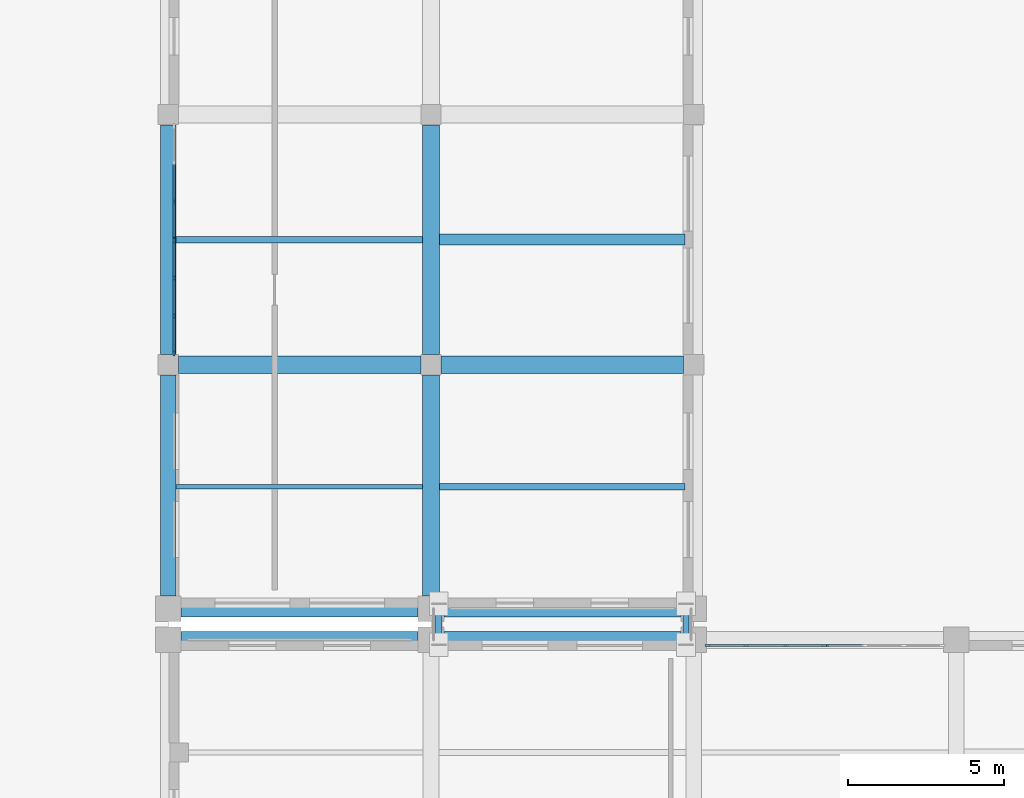
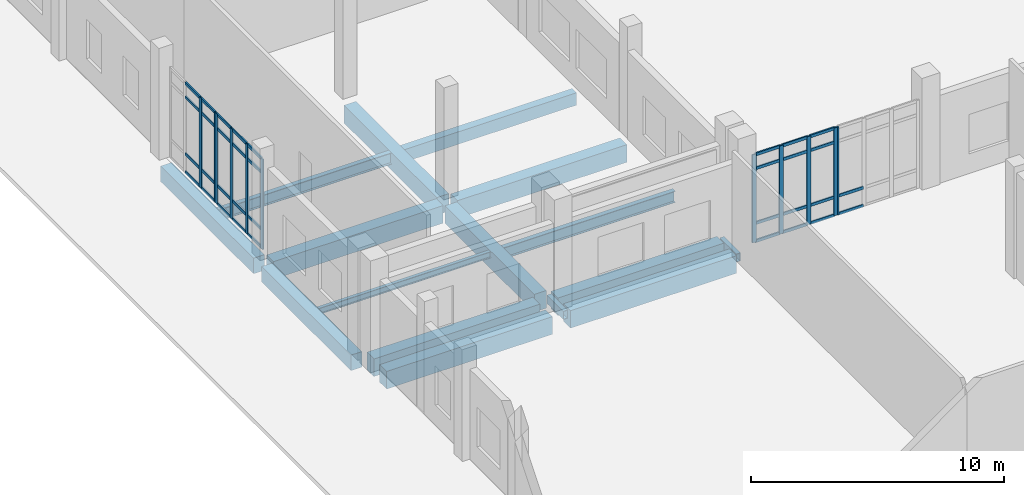
# One storey, part 7 of 79: 45 members, 16 beams, 4 elements without a shape of their own.
"""IFC4 building model written with IfcOpenShell, lengths in metres."""

from ifc_helpers import new_model, si_unit, direction, frame, origin, origin_2d, place, context, subcontext, project, spatial, rectangle, hollow_rectangle, i_section, extrude, material, layer, layer_set, material_profile, profile_set, type_object, element, aggregate, save


model = new_model("IFC4")

# Units and contexts
model_context = context("Model", 3, precision=1e-05, world=origin(), true_north=direction((0.0, 1.0)))
body_context = subcontext(model_context, "Body", "Model", "MODEL_VIEW")
ifc_project = project(units=[si_unit("LENGTHUNIT", "METRE"), si_unit("AREAUNIT", "SQUARE_METRE"), si_unit("VOLUMEUNIT", "CUBIC_METRE"), si_unit("PLANEANGLEUNIT", "RADIAN"), si_unit("MASSUNIT", "GRAM", prefix="KILO")], contexts=[model_context])

# Site, building, storey
site_placement = place(None, origin())
site = spatial("IfcSite", under=ifc_project, at=site_placement, CompositionType="ELEMENT")
building_placement = place(site_placement, origin())
building = spatial("IfcBuilding", under=site, at=building_placement, Name="Kelarvand Opera House", CompositionType="ELEMENT")
storey_placement = place(building_placement, origin())
storey = spatial("IfcBuildingStorey", under=building, at=storey_placement, Name="L00", CompositionType="ELEMENT", Elevation=0.0)

# Curtain wall, members
ifc_material_1 = material(Name="Thermally broken aluminium and low-E glazing", Category="aluminium")
ifc_layer_1 = layer(ifc_material_1, 0.179931640625, Name="Thermally broken aluminium and low-E glazing", Category="aluminium")
ifc_layer_set_1 = layer_set([ifc_layer_1], Name="Thermally broken aluminium and low-E glazing")
curtain_wall_type_1 = type_object("IfcCurtainWallType", Name="Unitised Low-E Curtain Wall 3776x4250 Mod 1350 CWF-23", PredefinedType="USERDEFINED", material=ifc_layer_set_1)
curtain_wall_1_placement = place(storey_placement, origin())
curtain_wall_1 = element("IfcCurtainWall", 1, at=curtain_wall_1_placement, inside=storey, type_object=curtain_wall_type_1, Name="V4 L00 Curtain Wall CWF-23 (107)", ObjectType="UNITISED CURTAIN WALL", PredefinedType="USERDEFINED")
ifc_material_2 = material(Name="Thermally broken anodised aluminium", Category="aluminium")
ifc_material_profile_1 = material_profile(ifc_material_2, rectangle(XDim=0.06494140625, YDim=0.179931640625, at=origin_2d()), Name="ALU MULLION 65x180", Category="aluminium")
ifc_profile_set_1 = profile_set([ifc_material_profile_1], Name="Thermally broken anodised aluminium")
member_type_1 = type_object("IfcMemberType", Name="Curtain Wall Mullion 65x180 Aluminium", PredefinedType="MULLION", material=ifc_profile_set_1)
member_1_placement = place(storey_placement, frame((26.25244140625, 37.6201171875, 0.0), z_axis=(0.0, 0.0, 1.0), x_axis=(0.0, 1.0, 0.0)))
member_1 = element("IfcMember", 2, at=member_1_placement, type_object=member_type_1, Name="CWF-23 mullion 1", PredefinedType="MULLION", context=body_context, shape_type="SweptSolid", body=[
    extrude(rectangle(XDim=0.06494140625, YDim=0.179931640625, at=origin_2d()), origin(), (0.0, 0.0, 1.0), 4.25),
])
member_2_placement = place(storey_placement, frame((27.478759765625, 37.6201171875, 0.0), z_axis=(0.0, 0.0, 1.0), x_axis=(0.0, 1.0, 0.0)))
member_2 = element("IfcMember", 3, at=member_2_placement, type_object=member_type_1, Name="CWF-23 mullion 2", PredefinedType="MULLION", context=body_context, shape_type="SweptSolid", body=[
    extrude(rectangle(XDim=0.06494140625, YDim=0.179931640625, at=origin_2d()), origin(), (0.0, 0.0, 1.0), 4.25),
])
member_3_placement = place(storey_placement, frame((28.7373046875, 37.6201171875, 0.0), z_axis=(0.0, 0.0, 1.0), x_axis=(0.0, 1.0, 0.0)))
member_3 = element("IfcMember", 4, at=member_3_placement, type_object=member_type_1, Name="CWF-23 mullion 3", PredefinedType="MULLION", context=body_context, shape_type="SweptSolid", body=[
    extrude(rectangle(XDim=0.06494140625, YDim=0.179931640625, at=origin_2d()), origin(), (0.0, 0.0, 1.0), 4.25),
])
member_4_placement = place(storey_placement, frame((29.96337890625, 37.6201171875, 0.0), z_axis=(0.0, 0.0, 1.0), x_axis=(0.0, 1.0, 0.0)))
member_4 = element("IfcMember", 5, at=member_4_placement, type_object=member_type_1, Name="CWF-23 mullion 4", PredefinedType="MULLION", context=body_context, shape_type="SweptSolid", body=[
    extrude(rectangle(XDim=0.06494140625, YDim=0.179931640625, at=origin_2d()), origin(), (0.0, 0.0, 1.0), 4.25),
])

# Curtain wall, member
curtain_wall_2_placement = place(storey_placement, origin())
curtain_wall_2 = element("IfcCurtainWall", 6, at=curtain_wall_2_placement, inside=storey, type_object=curtain_wall_type_1, Name="V4 L00 Curtain Wall CWF-23 (108)", ObjectType="UNITISED CURTAIN WALL", PredefinedType="USERDEFINED")
member_5_placement = place(storey_placement, frame((30.032470703125, 37.6201171875, 0.0), z_axis=(0.0, 0.0, 1.0), x_axis=(0.0, 1.0, 0.0)))
member_5 = element("IfcMember", 7, at=member_5_placement, type_object=member_type_1, Name="CWF-23 mullion 1", PredefinedType="MULLION", context=body_context, shape_type="SweptSolid", body=[
    extrude(rectangle(XDim=0.06494140625, YDim=0.179931640625, at=origin_2d()), origin(), (0.0, 0.0, 1.0), 4.25),
])

# Curtain wall, members
ifc_layer_2 = layer(ifc_material_1, 0.179931640625, Name="Thermally broken aluminium and low-E glazing", Category="aluminium")
ifc_layer_set_2 = layer_set([ifc_layer_2], Name="Thermally broken aluminium and low-E glazing")
curtain_wall_type_2 = type_object("IfcCurtainWallType", Name="Unitised Low-E Curtain Wall 3661x4350 Mod 1350 CWF-24", PredefinedType="USERDEFINED", material=ifc_layer_set_2)
curtain_wall_3_placement = place(storey_placement, origin())
curtain_wall_3 = element("IfcCurtainWall", 8, at=curtain_wall_3_placement, inside=storey, type_object=curtain_wall_type_2, Name="V4 L00 Curtain Wall CWF-24 (115)", ObjectType="UNITISED CURTAIN WALL", PredefinedType="USERDEFINED")
member_6_placement = place(storey_placement, frame((9.179931640625, 46.967529296875, 0.0), z_axis=(0.0, 0.0, 1.0), x_axis=(-1.0, 0.0, 0.0)))
member_6 = element("IfcMember", 9, at=member_6_placement, type_object=member_type_1, Name="CWF-24 mullion 1", PredefinedType="MULLION", context=body_context, shape_type="SweptSolid", body=[
    extrude(rectangle(XDim=0.06494140625, YDim=0.179931640625, at=origin_2d()), origin(), (0.0, 0.0, 1.0), 4.35009765625),
])
member_7_placement = place(storey_placement, frame((9.179931640625, 48.1552734375, 0.0), z_axis=(0.0, 0.0, 1.0), x_axis=(-1.0, 0.0, 0.0)))
member_7 = element("IfcMember", 10, at=member_7_placement, type_object=member_type_1, Name="CWF-24 mullion 2", PredefinedType="MULLION", context=body_context, shape_type="SweptSolid", body=[
    extrude(rectangle(XDim=0.06494140625, YDim=0.179931640625, at=origin_2d()), origin(), (0.0, 0.0, 1.0), 4.35009765625),
])
member_8_placement = place(storey_placement, frame((9.179931640625, 49.375732421875, 0.0), z_axis=(0.0, 0.0, 1.0), x_axis=(-1.0, 0.0, 0.0)))
member_8 = element("IfcMember", 11, at=member_8_placement, type_object=member_type_1, Name="CWF-24 mullion 3", PredefinedType="MULLION", context=body_context, shape_type="SweptSolid", body=[
    extrude(rectangle(XDim=0.06494140625, YDim=0.179931640625, at=origin_2d()), origin(), (0.0, 0.0, 1.0), 4.35009765625),
])
member_9_placement = place(storey_placement, frame((9.179931640625, 50.5634765625, 0.0), z_axis=(0.0, 0.0, 1.0), x_axis=(-1.0, 0.0, 0.0)))
member_9 = element("IfcMember", 12, at=member_9_placement, type_object=member_type_1, Name="CWF-24 mullion 4", PredefinedType="MULLION", context=body_context, shape_type="SweptSolid", body=[
    extrude(rectangle(XDim=0.06494140625, YDim=0.179931640625, at=origin_2d()), origin(), (0.0, 0.0, 1.0), 4.35009765625),
])

curtain_wall_4_placement = place(storey_placement, origin())
curtain_wall_4 = element("IfcCurtainWall", 13, at=curtain_wall_4_placement, inside=storey, type_object=curtain_wall_type_2, Name="V4 L00 Curtain Wall CWF-24 (116)", ObjectType="UNITISED CURTAIN WALL", PredefinedType="USERDEFINED")
member_10_placement = place(storey_placement, frame((9.179931640625, 50.632568359375, 0.0), z_axis=(0.0, 0.0, 1.0), x_axis=(-1.0, 0.0, 0.0)))
member_10 = element("IfcMember", 14, at=member_10_placement, type_object=member_type_1, Name="CWF-24 mullion 1", PredefinedType="MULLION", context=body_context, shape_type="SweptSolid", body=[
    extrude(rectangle(XDim=0.06494140625, YDim=0.179931640625, at=origin_2d()), origin(), (0.0, 0.0, 1.0), 4.35009765625),
])
member_11_placement = place(storey_placement, frame((9.179931640625, 51.82177734375, 0.0), z_axis=(0.0, 0.0, 1.0), x_axis=(-1.0, 0.0, 0.0)))
member_11 = element("IfcMember", 15, at=member_11_placement, type_object=member_type_1, Name="CWF-24 mullion 2", PredefinedType="MULLION", context=body_context, shape_type="SweptSolid", body=[
    extrude(rectangle(XDim=0.06494140625, YDim=0.179931640625, at=origin_2d()), origin(), (0.0, 0.0, 1.0), 4.35009765625),
])

# Member
ifc_material_profile_2 = material_profile(ifc_material_2, rectangle(XDim=0.06494140625, YDim=0.139892578125, at=origin_2d()), Name="ALU TRANSOM 65x140", Category="aluminium")
ifc_profile_set_2 = profile_set([ifc_material_profile_2], Name="Thermally broken anodised aluminium")
member_type_2 = type_object("IfcMemberType", Name="Curtain Wall Transom 65x140 Aluminium", PredefinedType="USERDEFINED", material=ifc_profile_set_2)
member_12_placement = place(storey_placement, frame((26.284912109375, 37.6201171875, 0.032470703125), z_axis=(1.0, 0.0, 0.0), x_axis=(0.0, 1.0, 0.0)))
member_12 = element("IfcMember", 16, at=member_12_placement, type_object=member_type_2, Name="CWF-23 transom 1.1", ObjectType="TRANSOM", PredefinedType="USERDEFINED", context=body_context, shape_type="SweptSolid", body=[
    extrude(rectangle(XDim=0.06494140625, YDim=0.139892578125, at=origin_2d()), origin(), (0.0, 0.0, 1.0), 1.1611328125),
])

member_13_placement = place(storey_placement, frame((26.284912109375, 37.6201171875, 0.89990234375), z_axis=(1.0, 0.0, 0.0), x_axis=(0.0, 1.0, 0.0)))
member_13 = element("IfcMember", 17, at=member_13_placement, type_object=member_type_2, Name="CWF-23 transom 1.2", ObjectType="TRANSOM", PredefinedType="USERDEFINED", context=body_context, shape_type="SweptSolid", body=[
    extrude(rectangle(XDim=0.06494140625, YDim=0.139892578125, at=origin_2d()), origin(), (0.0, 0.0, 1.0), 1.1611328125),
])

member_14_placement = place(storey_placement, frame((26.284912109375, 37.6201171875, 3.550048828125), z_axis=(1.0, 0.0, 0.0), x_axis=(0.0, 1.0, 0.0)))
member_14 = element("IfcMember", 18, at=member_14_placement, type_object=member_type_2, Name="CWF-23 transom 1.3", ObjectType="TRANSOM", PredefinedType="USERDEFINED", context=body_context, shape_type="SweptSolid", body=[
    extrude(rectangle(XDim=0.06494140625, YDim=0.139892578125, at=origin_2d()), origin(), (0.0, 0.0, 1.0), 1.1611328125),
])

member_15_placement = place(storey_placement, frame((26.284912109375, 37.6201171875, 4.217529296875), z_axis=(1.0, 0.0, 0.0), x_axis=(0.0, 1.0, 0.0)))
member_15 = element("IfcMember", 19, at=member_15_placement, type_object=member_type_2, Name="CWF-23 transom 1.4", ObjectType="TRANSOM", PredefinedType="USERDEFINED", context=body_context, shape_type="SweptSolid", body=[
    extrude(rectangle(XDim=0.06494140625, YDim=0.139892578125, at=origin_2d()), origin(), (0.0, 0.0, 1.0), 1.1611328125),
])

member_16_placement = place(storey_placement, frame((27.51123046875, 37.6201171875, 0.032470703125), z_axis=(1.0, 0.0, 0.0), x_axis=(0.0, 1.0, 0.0)))
member_16 = element("IfcMember", 20, at=member_16_placement, type_object=member_type_2, Name="CWF-23 transom 2.1", ObjectType="TRANSOM", PredefinedType="USERDEFINED", context=body_context, shape_type="SweptSolid", body=[
    extrude(rectangle(XDim=0.06494140625, YDim=0.139892578125, at=origin_2d()), origin(), (0.0, 0.0, 1.0), 1.193603515625),
])

member_17_placement = place(storey_placement, frame((27.51123046875, 37.6201171875, 0.89990234375), z_axis=(1.0, 0.0, 0.0), x_axis=(0.0, 1.0, 0.0)))
member_17 = element("IfcMember", 21, at=member_17_placement, type_object=member_type_2, Name="CWF-23 transom 2.2", ObjectType="TRANSOM", PredefinedType="USERDEFINED", context=body_context, shape_type="SweptSolid", body=[
    extrude(rectangle(XDim=0.06494140625, YDim=0.139892578125, at=origin_2d()), origin(), (0.0, 0.0, 1.0), 1.193603515625),
])

member_18_placement = place(storey_placement, frame((27.51123046875, 37.6201171875, 3.550048828125), z_axis=(1.0, 0.0, 0.0), x_axis=(0.0, 1.0, 0.0)))
member_18 = element("IfcMember", 22, at=member_18_placement, type_object=member_type_2, Name="CWF-23 transom 2.3", ObjectType="TRANSOM", PredefinedType="USERDEFINED", context=body_context, shape_type="SweptSolid", body=[
    extrude(rectangle(XDim=0.06494140625, YDim=0.139892578125, at=origin_2d()), origin(), (0.0, 0.0, 1.0), 1.193603515625),
])

member_19_placement = place(storey_placement, frame((27.51123046875, 37.6201171875, 4.217529296875), z_axis=(1.0, 0.0, 0.0), x_axis=(0.0, 1.0, 0.0)))
member_19 = element("IfcMember", 23, at=member_19_placement, type_object=member_type_2, Name="CWF-23 transom 2.4", ObjectType="TRANSOM", PredefinedType="USERDEFINED", context=body_context, shape_type="SweptSolid", body=[
    extrude(rectangle(XDim=0.06494140625, YDim=0.139892578125, at=origin_2d()), origin(), (0.0, 0.0, 1.0), 1.193603515625),
])

member_20_placement = place(storey_placement, frame((28.769775390625, 37.6201171875, 0.032470703125), z_axis=(1.0, 0.0, 0.0), x_axis=(0.0, 1.0, 0.0)))
member_20 = element("IfcMember", 24, at=member_20_placement, type_object=member_type_2, Name="CWF-23 transom 3.1", ObjectType="TRANSOM", PredefinedType="USERDEFINED", context=body_context, shape_type="SweptSolid", body=[
    extrude(rectangle(XDim=0.06494140625, YDim=0.139892578125, at=origin_2d()), origin(), (0.0, 0.0, 1.0), 1.1611328125),
])

member_21_placement = place(storey_placement, frame((28.769775390625, 37.6201171875, 0.89990234375), z_axis=(1.0, 0.0, 0.0), x_axis=(0.0, 1.0, 0.0)))
member_21 = element("IfcMember", 25, at=member_21_placement, type_object=member_type_2, Name="CWF-23 transom 3.2", ObjectType="TRANSOM", PredefinedType="USERDEFINED", context=body_context, shape_type="SweptSolid", body=[
    extrude(rectangle(XDim=0.06494140625, YDim=0.139892578125, at=origin_2d()), origin(), (0.0, 0.0, 1.0), 1.1611328125),
])

member_22_placement = place(storey_placement, frame((28.769775390625, 37.6201171875, 3.550048828125), z_axis=(1.0, 0.0, 0.0), x_axis=(0.0, 1.0, 0.0)))
member_22 = element("IfcMember", 26, at=member_22_placement, type_object=member_type_2, Name="CWF-23 transom 3.3", ObjectType="TRANSOM", PredefinedType="USERDEFINED", context=body_context, shape_type="SweptSolid", body=[
    extrude(rectangle(XDim=0.06494140625, YDim=0.139892578125, at=origin_2d()), origin(), (0.0, 0.0, 1.0), 1.1611328125),
])

member_23_placement = place(storey_placement, frame((28.769775390625, 37.6201171875, 4.217529296875), z_axis=(1.0, 0.0, 0.0), x_axis=(0.0, 1.0, 0.0)))
member_23 = element("IfcMember", 27, at=member_23_placement, type_object=member_type_2, Name="CWF-23 transom 3.4", ObjectType="TRANSOM", PredefinedType="USERDEFINED", context=body_context, shape_type="SweptSolid", body=[
    extrude(rectangle(XDim=0.06494140625, YDim=0.139892578125, at=origin_2d()), origin(), (0.0, 0.0, 1.0), 1.1611328125),
])

aggregate(curtain_wall_1, [member_1, member_2, member_3, member_4, member_12, member_13, member_14, member_15, member_16, member_17, member_18, member_19, member_20, member_21, member_22, member_23])

member_24_placement = place(storey_placement, frame((30.06494140625, 37.6201171875, 0.032470703125), z_axis=(1.0, 0.0, 0.0), x_axis=(0.0, 1.0, 0.0)))
member_24 = element("IfcMember", 28, at=member_24_placement, type_object=member_type_2, Name="CWF-23 transom 1.1", ObjectType="TRANSOM", PredefinedType="USERDEFINED", context=body_context, shape_type="SweptSolid", body=[
    extrude(rectangle(XDim=0.06494140625, YDim=0.139892578125, at=origin_2d()), origin(), (0.0, 0.0, 1.0), 1.16259765625),
])

member_25_placement = place(storey_placement, frame((30.06494140625, 37.6201171875, 0.89990234375), z_axis=(1.0, 0.0, 0.0), x_axis=(0.0, 1.0, 0.0)))
member_25 = element("IfcMember", 29, at=member_25_placement, type_object=member_type_2, Name="CWF-23 transom 1.2", ObjectType="TRANSOM", PredefinedType="USERDEFINED", context=body_context, shape_type="SweptSolid", body=[
    extrude(rectangle(XDim=0.06494140625, YDim=0.139892578125, at=origin_2d()), origin(), (0.0, 0.0, 1.0), 1.16259765625),
])

aggregate(curtain_wall_2, [member_5, member_24, member_25])

member_26_placement = place(storey_placement, frame((9.179931640625, 47.0, 0.032470703125), z_axis=(0.0, 1.0, 0.0), x_axis=(-1.0, 0.0, 0.0)))
member_26 = element("IfcMember", 30, at=member_26_placement, type_object=member_type_2, Name="CWF-24 transom 1.1", ObjectType="TRANSOM", PredefinedType="USERDEFINED", context=body_context, shape_type="SweptSolid", body=[
    extrude(rectangle(XDim=0.06494140625, YDim=0.139892578125, at=origin_2d()), origin(), (0.0, 0.0, 1.0), 1.122802734375),
])

member_27_placement = place(storey_placement, frame((9.179931640625, 47.0, 0.89990234375), z_axis=(0.0, 1.0, 0.0), x_axis=(-1.0, 0.0, 0.0)))
member_27 = element("IfcMember", 31, at=member_27_placement, type_object=member_type_2, Name="CWF-24 transom 1.2", ObjectType="TRANSOM", PredefinedType="USERDEFINED", context=body_context, shape_type="SweptSolid", body=[
    extrude(rectangle(XDim=0.06494140625, YDim=0.139892578125, at=origin_2d()), origin(), (0.0, 0.0, 1.0), 1.122802734375),
])

member_28_placement = place(storey_placement, frame((9.179931640625, 47.0, 3.64990234375), z_axis=(0.0, 1.0, 0.0), x_axis=(-1.0, 0.0, 0.0)))
member_28 = element("IfcMember", 32, at=member_28_placement, type_object=member_type_2, Name="CWF-24 transom 1.3", ObjectType="TRANSOM", PredefinedType="USERDEFINED", context=body_context, shape_type="SweptSolid", body=[
    extrude(rectangle(XDim=0.06494140625, YDim=0.139892578125, at=origin_2d()), origin(), (0.0, 0.0, 1.0), 1.122802734375),
])

member_29_placement = place(storey_placement, frame((9.179931640625, 47.0, 4.3173828125), z_axis=(0.0, 1.0, 0.0), x_axis=(-1.0, 0.0, 0.0)))
member_29 = element("IfcMember", 33, at=member_29_placement, type_object=member_type_2, Name="CWF-24 transom 1.4", ObjectType="TRANSOM", PredefinedType="USERDEFINED", context=body_context, shape_type="SweptSolid", body=[
    extrude(rectangle(XDim=0.06494140625, YDim=0.139892578125, at=origin_2d()), origin(), (0.0, 0.0, 1.0), 1.122802734375),
])

member_30_placement = place(storey_placement, frame((9.179931640625, 48.187744140625, 0.032470703125), z_axis=(0.0, 1.0, 0.0), x_axis=(-1.0, 0.0, 0.0)))
member_30 = element("IfcMember", 34, at=member_30_placement, type_object=member_type_2, Name="CWF-24 transom 2.1", ObjectType="TRANSOM", PredefinedType="USERDEFINED", context=body_context, shape_type="SweptSolid", body=[
    extrude(rectangle(XDim=0.06494140625, YDim=0.139892578125, at=origin_2d()), origin(), (0.0, 0.0, 1.0), 1.155517578125),
])

member_31_placement = place(storey_placement, frame((9.179931640625, 48.187744140625, 0.89990234375), z_axis=(0.0, 1.0, 0.0), x_axis=(-1.0, 0.0, 0.0)))
member_31 = element("IfcMember", 35, at=member_31_placement, type_object=member_type_2, Name="CWF-24 transom 2.2", ObjectType="TRANSOM", PredefinedType="USERDEFINED", context=body_context, shape_type="SweptSolid", body=[
    extrude(rectangle(XDim=0.06494140625, YDim=0.139892578125, at=origin_2d()), origin(), (0.0, 0.0, 1.0), 1.155517578125),
])

member_32_placement = place(storey_placement, frame((9.179931640625, 48.187744140625, 3.64990234375), z_axis=(0.0, 1.0, 0.0), x_axis=(-1.0, 0.0, 0.0)))
member_32 = element("IfcMember", 36, at=member_32_placement, type_object=member_type_2, Name="CWF-24 transom 2.3", ObjectType="TRANSOM", PredefinedType="USERDEFINED", context=body_context, shape_type="SweptSolid", body=[
    extrude(rectangle(XDim=0.06494140625, YDim=0.139892578125, at=origin_2d()), origin(), (0.0, 0.0, 1.0), 1.155517578125),
])

member_33_placement = place(storey_placement, frame((9.179931640625, 48.187744140625, 4.3173828125), z_axis=(0.0, 1.0, 0.0), x_axis=(-1.0, 0.0, 0.0)))
member_33 = element("IfcMember", 37, at=member_33_placement, type_object=member_type_2, Name="CWF-24 transom 2.4", ObjectType="TRANSOM", PredefinedType="USERDEFINED", context=body_context, shape_type="SweptSolid", body=[
    extrude(rectangle(XDim=0.06494140625, YDim=0.139892578125, at=origin_2d()), origin(), (0.0, 0.0, 1.0), 1.155517578125),
])

member_34_placement = place(storey_placement, frame((9.179931640625, 49.408203125, 0.032470703125), z_axis=(0.0, 1.0, 0.0), x_axis=(-1.0, 0.0, 0.0)))
member_34 = element("IfcMember", 38, at=member_34_placement, type_object=member_type_2, Name="CWF-24 transom 3.1", ObjectType="TRANSOM", PredefinedType="USERDEFINED", context=body_context, shape_type="SweptSolid", body=[
    extrude(rectangle(XDim=0.06494140625, YDim=0.139892578125, at=origin_2d()), origin(), (0.0, 0.0, 1.0), 1.122802734375),
])

member_35_placement = place(storey_placement, frame((9.179931640625, 49.408203125, 0.89990234375), z_axis=(0.0, 1.0, 0.0), x_axis=(-1.0, 0.0, 0.0)))
member_35 = element("IfcMember", 39, at=member_35_placement, type_object=member_type_2, Name="CWF-24 transom 3.2", ObjectType="TRANSOM", PredefinedType="USERDEFINED", context=body_context, shape_type="SweptSolid", body=[
    extrude(rectangle(XDim=0.06494140625, YDim=0.139892578125, at=origin_2d()), origin(), (0.0, 0.0, 1.0), 1.122802734375),
])

member_36_placement = place(storey_placement, frame((9.179931640625, 49.408203125, 3.64990234375), z_axis=(0.0, 1.0, 0.0), x_axis=(-1.0, 0.0, 0.0)))
member_36 = element("IfcMember", 40, at=member_36_placement, type_object=member_type_2, Name="CWF-24 transom 3.3", ObjectType="TRANSOM", PredefinedType="USERDEFINED", context=body_context, shape_type="SweptSolid", body=[
    extrude(rectangle(XDim=0.06494140625, YDim=0.139892578125, at=origin_2d()), origin(), (0.0, 0.0, 1.0), 1.122802734375),
])

member_37_placement = place(storey_placement, frame((9.179931640625, 49.408203125, 4.3173828125), z_axis=(0.0, 1.0, 0.0), x_axis=(-1.0, 0.0, 0.0)))
member_37 = element("IfcMember", 41, at=member_37_placement, type_object=member_type_2, Name="CWF-24 transom 3.4", ObjectType="TRANSOM", PredefinedType="USERDEFINED", context=body_context, shape_type="SweptSolid", body=[
    extrude(rectangle(XDim=0.06494140625, YDim=0.139892578125, at=origin_2d()), origin(), (0.0, 0.0, 1.0), 1.122802734375),
])

aggregate(curtain_wall_3, [member_6, member_7, member_8, member_9, member_26, member_27, member_28, member_29, member_30, member_31, member_32, member_33, member_34, member_35, member_36, member_37])

member_38_placement = place(storey_placement, frame((9.179931640625, 50.6650390625, 0.032470703125), z_axis=(0.0, 1.0, 0.0), x_axis=(-1.0, 0.0, 0.0)))
member_38 = element("IfcMember", 42, at=member_38_placement, type_object=member_type_2, Name="CWF-24 transom 1.1", ObjectType="TRANSOM", PredefinedType="USERDEFINED", context=body_context, shape_type="SweptSolid", body=[
    extrude(rectangle(XDim=0.06494140625, YDim=0.139892578125, at=origin_2d()), origin(), (0.0, 0.0, 1.0), 1.1240234375),
])

member_39_placement = place(storey_placement, frame((9.179931640625, 50.6650390625, 0.89990234375), z_axis=(0.0, 1.0, 0.0), x_axis=(-1.0, 0.0, 0.0)))
member_39 = element("IfcMember", 43, at=member_39_placement, type_object=member_type_2, Name="CWF-24 transom 1.2", ObjectType="TRANSOM", PredefinedType="USERDEFINED", context=body_context, shape_type="SweptSolid", body=[
    extrude(rectangle(XDim=0.06494140625, YDim=0.139892578125, at=origin_2d()), origin(), (0.0, 0.0, 1.0), 1.1240234375),
])

member_40_placement = place(storey_placement, frame((9.179931640625, 50.6650390625, 3.64990234375), z_axis=(0.0, 1.0, 0.0), x_axis=(-1.0, 0.0, 0.0)))
member_40 = element("IfcMember", 44, at=member_40_placement, type_object=member_type_2, Name="CWF-24 transom 1.3", ObjectType="TRANSOM", PredefinedType="USERDEFINED", context=body_context, shape_type="SweptSolid", body=[
    extrude(rectangle(XDim=0.06494140625, YDim=0.139892578125, at=origin_2d()), origin(), (0.0, 0.0, 1.0), 1.1240234375),
])

member_41_placement = place(storey_placement, frame((9.179931640625, 50.6650390625, 4.3173828125), z_axis=(0.0, 1.0, 0.0), x_axis=(-1.0, 0.0, 0.0)))
member_41 = element("IfcMember", 45, at=member_41_placement, type_object=member_type_2, Name="CWF-24 transom 1.4", ObjectType="TRANSOM", PredefinedType="USERDEFINED", context=body_context, shape_type="SweptSolid", body=[
    extrude(rectangle(XDim=0.06494140625, YDim=0.139892578125, at=origin_2d()), origin(), (0.0, 0.0, 1.0), 1.1240234375),
])

member_42_placement = place(storey_placement, frame((9.179931640625, 51.854248046875, 0.032470703125), z_axis=(0.0, 1.0, 0.0), x_axis=(-1.0, 0.0, 0.0)))
member_42 = element("IfcMember", 46, at=member_42_placement, type_object=member_type_2, Name="CWF-24 transom 2.1", ObjectType="TRANSOM", PredefinedType="USERDEFINED", context=body_context, shape_type="SweptSolid", body=[
    extrude(rectangle(XDim=0.06494140625, YDim=0.139892578125, at=origin_2d()), origin(), (0.0, 0.0, 1.0), 1.156494140625),
])

member_43_placement = place(storey_placement, frame((9.179931640625, 51.854248046875, 0.89990234375), z_axis=(0.0, 1.0, 0.0), x_axis=(-1.0, 0.0, 0.0)))
member_43 = element("IfcMember", 47, at=member_43_placement, type_object=member_type_2, Name="CWF-24 transom 2.2", ObjectType="TRANSOM", PredefinedType="USERDEFINED", context=body_context, shape_type="SweptSolid", body=[
    extrude(rectangle(XDim=0.06494140625, YDim=0.139892578125, at=origin_2d()), origin(), (0.0, 0.0, 1.0), 1.156494140625),
])

member_44_placement = place(storey_placement, frame((9.179931640625, 51.854248046875, 3.64990234375), z_axis=(0.0, 1.0, 0.0), x_axis=(-1.0, 0.0, 0.0)))
member_44 = element("IfcMember", 48, at=member_44_placement, type_object=member_type_2, Name="CWF-24 transom 2.3", ObjectType="TRANSOM", PredefinedType="USERDEFINED", context=body_context, shape_type="SweptSolid", body=[
    extrude(rectangle(XDim=0.06494140625, YDim=0.139892578125, at=origin_2d()), origin(), (0.0, 0.0, 1.0), 1.156494140625),
])

member_45_placement = place(storey_placement, frame((9.179931640625, 51.854248046875, 4.3173828125), z_axis=(0.0, 1.0, 0.0), x_axis=(-1.0, 0.0, 0.0)))
member_45 = element("IfcMember", 49, at=member_45_placement, type_object=member_type_2, Name="CWF-24 transom 2.4", ObjectType="TRANSOM", PredefinedType="USERDEFINED", context=body_context, shape_type="SweptSolid", body=[
    extrude(rectangle(XDim=0.06494140625, YDim=0.139892578125, at=origin_2d()), origin(), (0.0, 0.0, 1.0), 1.156494140625),
])

aggregate(curtain_wall_4, [member_10, member_11, member_38, member_39, member_40, member_41, member_42, member_43, member_44, member_45])

# Beams
ifc_material_3 = material(Name="Concrete C35/45", Category="concrete")
ifc_material_profile_3 = material_profile(ifc_material_3, rectangle(XDim=0.35009765625, YDim=0.60009765625, at=origin_2d()), Name="RC 350x600", Category="concrete")
ifc_profile_set_3 = profile_set([ifc_material_profile_3], Name="Concrete C35/45")
beam_type_1 = type_object("IfcBeamType", Name="Structural Beam RC 350x600 BM-RC350x600", PredefinedType="BEAM", material=ifc_profile_set_3)
beam_1_placement = place(storey_placement, frame((17.675048828125, 50.60009765625, -0.60009765625), z_axis=(1.0, 0.0, 0.0), x_axis=(0.0, 1.0, 0.0)))
element("IfcBeam", 50, at=beam_1_placement, inside=storey, type_object=beam_type_1, Name="V4 L00 Beam BM-RC350x600", PredefinedType="BEAM", context=body_context, shape_type="SweptSolid", body=[
    extrude(rectangle(XDim=0.35009765625, YDim=0.60009765625, at=origin_2d()), origin(), (0.0, 0.0, 1.0), 7.849853515625),
])
ifc_material_4 = material(Name="Concrete C40/50", Category="concrete")
ifc_material_profile_4 = material_profile(ifc_material_4, rectangle(XDim=0.550048828125, YDim=0.85009765625, at=origin_2d()), Name="RC 550x850", Category="concrete")
ifc_profile_set_4 = profile_set([ifc_material_profile_4], Name="Concrete C40/50")
beam_type_2 = type_object("IfcBeamType", Name="Structural Beam RC 550x850 BM-RC550x850", PredefinedType="BEAM", material=ifc_profile_set_4)
beam_2_placement = place(storey_placement, frame((9.409912109375, 37.800048828125, -0.72509765625), z_axis=(1.0, 0.0, 0.0), x_axis=(0.0, 1.0, 0.0)))
element("IfcBeam", 51, at=beam_2_placement, inside=storey, type_object=beam_type_2, Name="V4 L00 Beam BM-RC550x850", PredefinedType="BEAM", context=body_context, shape_type="SweptSolid", body=[
    extrude(rectangle(XDim=0.550048828125, YDim=0.85009765625, at=origin_2d()), origin(), (0.0, 0.0, 1.0), 7.580078125),
])
beam_3_placement = place(storey_placement, frame((17.81005859375, 37.800048828125, -0.72509765625), z_axis=(1.0, 0.0, 0.0), x_axis=(0.0, 1.0, 0.0)))
element("IfcBeam", 52, at=beam_3_placement, inside=storey, type_object=beam_type_2, Name="V4 L00 Beam BM-RC550x850", PredefinedType="BEAM", context=body_context, shape_type="SweptSolid", body=[
    extrude(rectangle(XDim=0.550048828125, YDim=0.85009765625, at=origin_2d()), origin(), (0.0, 0.0, 1.0), 7.579833984375),
])
beam_4_placement = place(storey_placement, frame((9.409912109375, 38.800048828125, -0.72509765625), z_axis=(1.0, 0.0, 0.0), x_axis=(0.0, 1.0, 0.0)))
element("IfcBeam", 53, at=beam_4_placement, inside=storey, type_object=beam_type_2, Name="V4 L00 Beam BM-RC550x850", PredefinedType="BEAM", context=body_context, shape_type="SweptSolid", body=[
    extrude(rectangle(XDim=0.550048828125, YDim=0.85009765625, at=origin_2d()), origin(), (0.0, 0.0, 1.0), 7.580078125),
])
beam_5_placement = place(storey_placement, frame((17.81005859375, 38.800048828125, -0.72509765625), z_axis=(1.0, 0.0, 0.0), x_axis=(0.0, 1.0, 0.0)))
element("IfcBeam", 54, at=beam_5_placement, inside=storey, type_object=beam_type_2, Name="V4 L00 Beam BM-RC550x850", PredefinedType="BEAM", context=body_context, shape_type="SweptSolid", body=[
    extrude(rectangle(XDim=0.550048828125, YDim=0.85009765625, at=origin_2d()), origin(), (0.0, 0.0, 1.0), 7.579833984375),
])
for number, where, z_axis, x_axis, name in (
    (55, (9.324951171875, 46.60009765625, -0.72509765625), (1.0, 0.0, 0.0), (0.0, 1.0, 0.0), "V4 L00 Beam BM-RC550x850"),
    (56, (17.72509765625, 46.60009765625, -0.72509765625), (1.0, 0.0, 0.0), (0.0, 1.0, 0.0), "V4 L00 Beam BM-RC550x850"),
):
    element("IfcBeam", number, at=place(storey_placement, frame(where, z_axis=z_axis, x_axis=x_axis)), inside=storey, type_object=beam_type_2, Name=name, PredefinedType="BEAM", context=body_context, shape_type="SweptSolid", body=[
        extrude(rectangle(XDim=0.550048828125, YDim=0.85009765625, at=origin_2d()), origin(), (0.0, 0.0, 1.0), 7.75),
    ])
beam_6_placement = place(storey_placement, frame((17.39990234375, 39.2099609375, -0.72509765625), z_axis=(0.0, 1.0, 0.0), x_axis=(-1.0, 0.0, 0.0)))
element("IfcBeam", 57, at=beam_6_placement, inside=storey, type_object=beam_type_2, Name="V4 L00 Beam BM-RC550x850", PredefinedType="BEAM", context=body_context, shape_type="SweptSolid", body=[
    extrude(rectangle(XDim=0.550048828125, YDim=0.85009765625, at=origin_2d()), origin(), (0.0, 0.0, 1.0), 7.06494140625),
])
beam_7_placement = place(storey_placement, frame((17.39990234375, 46.925048828125, -0.72509765625), z_axis=(0.0, 1.0, 0.0), x_axis=(-1.0, 0.0, 0.0)))
element("IfcBeam", 58, at=beam_7_placement, inside=storey, type_object=beam_type_2, Name="V4 L00 Beam BM-RC550x850", PredefinedType="BEAM", context=body_context, shape_type="SweptSolid", body=[
    extrude(rectangle(XDim=0.550048828125, YDim=0.85009765625, at=origin_2d()), origin(), (0.0, 0.0, 1.0), 7.349853515625),
])
ifc_material_5 = material(Name="Steel S355", Category="steel")
ifc_material_profile_5 = material_profile(ifc_material_5, hollow_rectangle(XDim=0.199951171875, YDim=0.39990234375, WallThickness=0.01611328125, at=origin_2d()), Name="RHS 400x200x16.0", Category="steel")
ifc_profile_set_5 = profile_set([ifc_material_profile_5], Name="Steel S355")
beam_type_3 = type_object("IfcBeamType", Name="Structural Beam RHS 400x200x16.0 BM-RHS400", PredefinedType="BEAM", material=ifc_profile_set_5)
for number, where, z_axis, x_axis, name in (
    (59, (17.64990234375, 37.64990234375, -0.52001953125), (0.0, 1.0, 0.0), (-1.0, 0.0, 0.0), "Seismic Sliding Corbel Beam BR-JS-W L00 1"),
    (60, (25.550048828125, 37.64990234375, -0.52001953125), (0.0, 1.0, 0.0), (-1.0, 0.0, 0.0), "Seismic Sliding Corbel Beam BR-JS-W L00 2"),
):
    element("IfcBeam", number, at=place(storey_placement, frame(where, z_axis=z_axis, x_axis=x_axis)), inside=storey, type_object=beam_type_3, Name=name, PredefinedType="BEAM", context=body_context, shape_type="SweptSolid", body=[
        extrude(hollow_rectangle(XDim=0.199951171875, YDim=0.39990234375, WallThickness=0.01611328125, at=origin_2d()), origin(), (0.0, 0.0, 1.0), 1.300048828125),
    ])
ifc_material_profile_6 = material_profile(ifc_material_5, i_section(OverallWidth=0.14990234375, OverallDepth=0.300048828125, WebThickness=0.007080078125, FlangeThickness=0.0107421875, at=origin_2d()), Name="IPE 300", Category="steel")
ifc_profile_set_6 = profile_set([ifc_material_profile_6], Name="Steel S355")
beam_type_4 = type_object("IfcBeamType", Name="Structural Joist IPE 300 JS-IPE300", PredefinedType="JOIST", material=ifc_profile_set_6)
beam_8_placement = place(storey_placement, frame((9.25, 42.699951171875, -0.449951171875), z_axis=(1.0, 0.0, 0.0), x_axis=(0.0, 1.0, 0.0)))
element("IfcBeam", 61, at=beam_8_placement, inside=storey, type_object=beam_type_4, Name="V4 L00 Beam JS-IPE300", PredefinedType="JOIST", context=body_context, shape_type="SweptSolid", body=[
    extrude(i_section(OverallWidth=0.14990234375, OverallDepth=0.300048828125, WebThickness=0.007080078125, FlangeThickness=0.0107421875, at=origin_2d()), origin(), (0.0, 0.0, 1.0), 7.875),
])
ifc_material_profile_7 = material_profile(ifc_material_5, i_section(OverallWidth=0.2099609375, OverallDepth=0.550048828125, WebThickness=0.010986328125, FlangeThickness=0.01708984375, at=origin_2d()), Name="IPE 550", Category="steel")
ifc_profile_set_7 = profile_set([ifc_material_profile_7], Name="Steel S355")
beam_type_5 = type_object("IfcBeamType", Name="Structural Joist IPE 550 JS-IPE550", PredefinedType="JOIST", material=ifc_profile_set_7)
beam_9_placement = place(storey_placement, frame((9.25, 50.60009765625, -0.574951171875), z_axis=(1.0, 0.0, 0.0), x_axis=(0.0, 1.0, 0.0)))
element("IfcBeam", 62, at=beam_9_placement, inside=storey, type_object=beam_type_5, Name="V4 L00 Beam JS-IPE550", PredefinedType="JOIST", context=body_context, shape_type="SweptSolid", body=[
    extrude(i_section(OverallWidth=0.2099609375, OverallDepth=0.550048828125, WebThickness=0.010986328125, FlangeThickness=0.01708984375, at=origin_2d()), origin(), (0.0, 0.0, 1.0), 7.875),
])
beam_10_placement = place(storey_placement, frame((17.675048828125, 42.699951171875, -0.574951171875), z_axis=(1.0, 0.0, 0.0), x_axis=(0.0, 1.0, 0.0)))
element("IfcBeam", 63, at=beam_10_placement, inside=storey, type_object=beam_type_5, Name="V4 L00 Beam JS-IPE550", PredefinedType="JOIST", context=body_context, shape_type="SweptSolid", body=[
    extrude(i_section(OverallWidth=0.2099609375, OverallDepth=0.550048828125, WebThickness=0.010986328125, FlangeThickness=0.01708984375, at=origin_2d()), origin(), (0.0, 0.0, 1.0), 7.849853515625),
])
ifc_material_profile_8 = material_profile(ifc_material_4, rectangle(XDim=0.5, YDim=0.75, at=origin_2d()), Name="RC 500x750", Category="concrete")
ifc_profile_set_8 = profile_set([ifc_material_profile_8], Name="Concrete C40/50")
beam_type_6 = type_object("IfcBeamType", Name="Structural Spandrel RC 500x750 SP-RC500x750E", PredefinedType="SPANDREL", material=ifc_profile_set_8)
beam_11_placement = place(storey_placement, frame((9.0, 39.2099609375, -0.675048828125), z_axis=(0.0, 1.0, 0.0), x_axis=(-1.0, 0.0, 0.0)))
element("IfcBeam", 64, at=beam_11_placement, inside=storey, type_object=beam_type_6, Name="V4 L00 Beam SP-RC500x750E", PredefinedType="SPANDREL", context=body_context, shape_type="SweptSolid", body=[
    extrude(rectangle(XDim=0.5, YDim=0.75, at=origin_2d()), origin(), (0.0, 0.0, 1.0), 7.06494140625),
])
beam_12_placement = place(storey_placement, frame((9.0, 46.925048828125, -0.675048828125), z_axis=(0.0, 1.0, 0.0), x_axis=(-1.0, 0.0, 0.0)))
element("IfcBeam", 65, at=beam_12_placement, inside=storey, type_object=beam_type_6, Name="V4 L00 Beam SP-RC500x750E", PredefinedType="SPANDREL", context=body_context, shape_type="SweptSolid", body=[
    extrude(rectangle(XDim=0.5, YDim=0.75, at=origin_2d()), origin(), (0.0, 0.0, 1.0), 7.349853515625),
])

save(model, "model.ifc")
